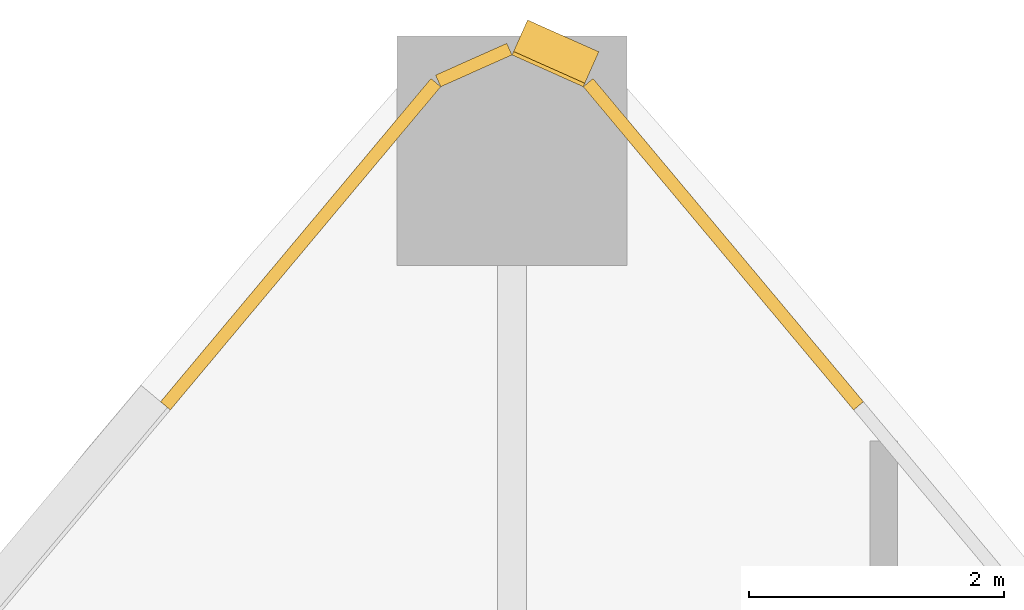
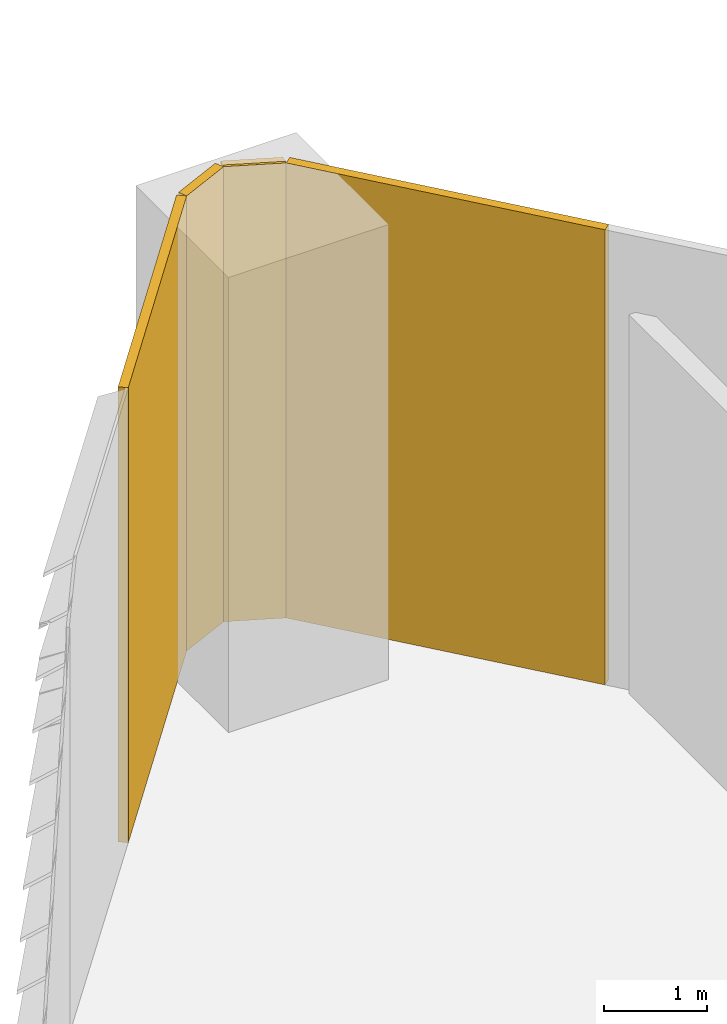
# One storey, part 7 of 8: 3 coverings, 1 shading device.
"""IFC4 building model written with IfcOpenShell, lengths in metres."""

from ifc_helpers import new_model, si_unit, direction, frame, origin, place, context, subcontext, project, spatial, polyline, outline, extrude, material, layer, layer_set, type_object, element, save


model = new_model("IFC4")

# Units and contexts
model_context = context("Model", 3, precision=1e-05, world=origin(), true_north=direction((0.0, 1.0)))
body_context = subcontext(model_context, "Body", "Model", "MODEL_VIEW")
ifc_project = project(units=[si_unit("LENGTHUNIT", "METRE"), si_unit("AREAUNIT", "SQUARE_METRE"), si_unit("VOLUMEUNIT", "CUBIC_METRE"), si_unit("PLANEANGLEUNIT", "RADIAN"), si_unit("MASSUNIT", "GRAM", prefix="KILO")], contexts=[model_context])

# Site, building, storey
site_placement = place(None, origin())
site = spatial("IfcSite", under=ifc_project, at=site_placement, CompositionType="ELEMENT")
building_placement = place(site_placement, origin())
building = spatial("IfcBuilding", under=site, at=building_placement, Name="Sierra Prisma Convention Tower", CompositionType="ELEMENT")
storey_placement = place(building_placement, frame((0.0, 0.0, 355.60009765625)))
storey = spatial("IfcBuildingStorey", under=building, at=storey_placement, Name="L79", CompositionType="ELEMENT", Elevation=355.60009765625)

# Coverings
ifc_material_1 = material(Name="Aluminium composite bronze anodised", Category="aluminium")
ifc_layer = layer(ifc_material_1, 0.10009765625)
ifc_layer_set = layer_set([ifc_layer], Name="Bronze cladding panel")
covering_type = type_object("IfcCoveringType", Name="Bronze cladding panel", PredefinedType="CLADDING", material=ifc_layer_set)
covering_1_placement = place(storey_placement, origin())
element("IfcCovering", 1, at=covering_1_placement, inside=storey, type_object=covering_type, Name="Crown cladding L79.26", PredefinedType="CLADDING", context=body_context, shape_type="SweptSolid", body=[
    extrude(outline(polyline([(2.676513671875, 20.50146484375), (0.558349609375, 23.033447265625), (0.635009765625, 23.09765625), (2.753173828125, 20.565673828125), (2.676513671875, 20.50146484375)])), origin(), (0.0, 0.0, 1.0), 5.39990234375),
])
covering_2_placement = place(storey_placement, origin())
element("IfcCovering", 2, at=covering_2_placement, inside=storey, type_object=covering_type, Name="Crown cladding L79.28", PredefinedType="CLADDING", context=body_context, shape_type="SweptSolid", body=[
    extrude(outline(polyline([(0.0, 23.282470703125), (-0.558349609375, 23.033447265625), (-0.598876953125, 23.124755859375), (-0.040771484375, 23.373779296875), (0.0, 23.282470703125)])), origin(), (0.0, 0.0, 1.0), 5.39990234375),
])
covering_3_placement = place(storey_placement, origin())
element("IfcCovering", 3, at=covering_3_placement, inside=storey, type_object=covering_type, Name="Crown cladding L79.29", PredefinedType="CLADDING", context=body_context, shape_type="SweptSolid", body=[
    extrude(outline(polyline([(-0.558349609375, 23.033447265625), (-2.676513671875, 20.50146484375), (-2.753173828125, 20.565673828125), (-0.635009765625, 23.09765625), (-0.558349609375, 23.033447265625)])), origin(), (0.0, 0.0, 1.0), 5.39990234375),
])

# Shading device
ifc_material_2 = material(Name="Aluminium 6063-T6 bronze anodised", Category="aluminium")
shading_device_type = type_object("IfcShadingDeviceType", Name="Louvre bay bronze", PredefinedType="USERDEFINED", material=ifc_material_2)
shading_device_placement = place(storey_placement, frame((0.558349609375, 23.033447265625, 0.0), z_axis=(0.913256378011, -0.407385306586, 0.0), x_axis=(0.0, 0.0, 1.0)))
element("IfcShadingDevice", 4, at=shading_device_placement, inside=storey, type_object=shading_device_type, Name="Crown louvre L79.27", ObjectType="LOUVRE", PredefinedType="USERDEFINED", context=body_context, shape_type="SweptSolid", body=[
    extrude(outline(polyline([(0.0, 0.0), (5.39990234375, 0.0), (5.39990234375, -0.029944819254525315), (5.3798828125, -0.029944819254525315), (5.260009765625, -0.2998941185110788), (5.22998046875, -0.2998941185110788), (5.349853515625, -0.029944819254525315), (4.984619140625, -0.029944819254525315), (4.964599609375, -0.029944819254525315), (4.844482421875, -0.2998941185110788), (4.814453125, -0.2998941185110788), (4.9345703125, -0.029944819254525315), (4.569091796875, -0.029944819254525315), (4.549072265625, -0.029944819254525315), (4.42919921875, -0.2998941185110788), (4.399169921875, -0.2998941185110788), (4.51904296875, -0.029944819254525315), (4.15380859375, -0.029944819254525315), (4.1337890625, -0.029944819254525315), (4.013671875, -0.2998941185110788), (3.983642578125, -0.2998941185110788), (4.103759765625, -0.029944819254525315), (3.73828125, -0.029944819254525315), (3.71826171875, -0.029944819254525315), (3.598388671875, -0.2998941185110788), (3.568359375, -0.2998941185110788), (3.6884765625, -0.029944819254525315), (3.322998046875, -0.029944819254525315), (3.302978515625, -0.029944819254525315), (3.182861328125, -0.2998941185110788), (3.153076171875, -0.2998941185110788), (3.27294921875, -0.029944819254525315), (2.90771484375, -0.029944819254525315), (2.8876953125, -0.029944819254525315), (2.767578125, -0.2998941185110788), (2.737548828125, -0.2998941185110788), (2.857666015625, -0.029944819254525315), (2.4921875, -0.029944819254525315), (2.47216796875, -0.029944819254525315), (2.352294921875, -0.2998941185110788), (2.322265625, -0.2998941185110788), (2.442138671875, -0.029944819254525315), (2.076904296875, -0.029944819254525315), (2.056884765625, -0.029944819254525315), (1.936767578125, -0.2998941185110788), (1.90673828125, -0.2998941185110788), (2.02685546875, -0.029944819254525315), (1.661376953125, -0.029944819254525315), (1.641357421875, -0.029944819254525315), (1.521484375, -0.2998941185110788), (1.491455078125, -0.2998941185110788), (1.611328125, -0.029944819254525315), (1.24609375, -0.029944819254525315), (1.22607421875, -0.029944819254525315), (1.10595703125, -0.2998941185110788), (1.076171875, -0.2998941185110788), (1.196044921875, -0.029944819254525315), (0.83056640625, -0.029944819254525315), (0.810791015625, -0.029944819254525315), (0.690673828125, -0.2998941185110788), (0.66064453125, -0.2998941185110788), (0.78076171875, -0.029944819254525315), (0.415283203125, -0.029944819254525315), (0.395263671875, -0.029944819254525315), (0.275390625, -0.2998941185110788), (0.245361328125, -0.2998941185110788), (0.365234375, -0.029944819254525315), (0.0, -0.029944819254525315), (0.0, 0.0)])), origin(), (0.0, 0.0, -1.0), 0.611328125),
])

save(model, "model.ifc")
